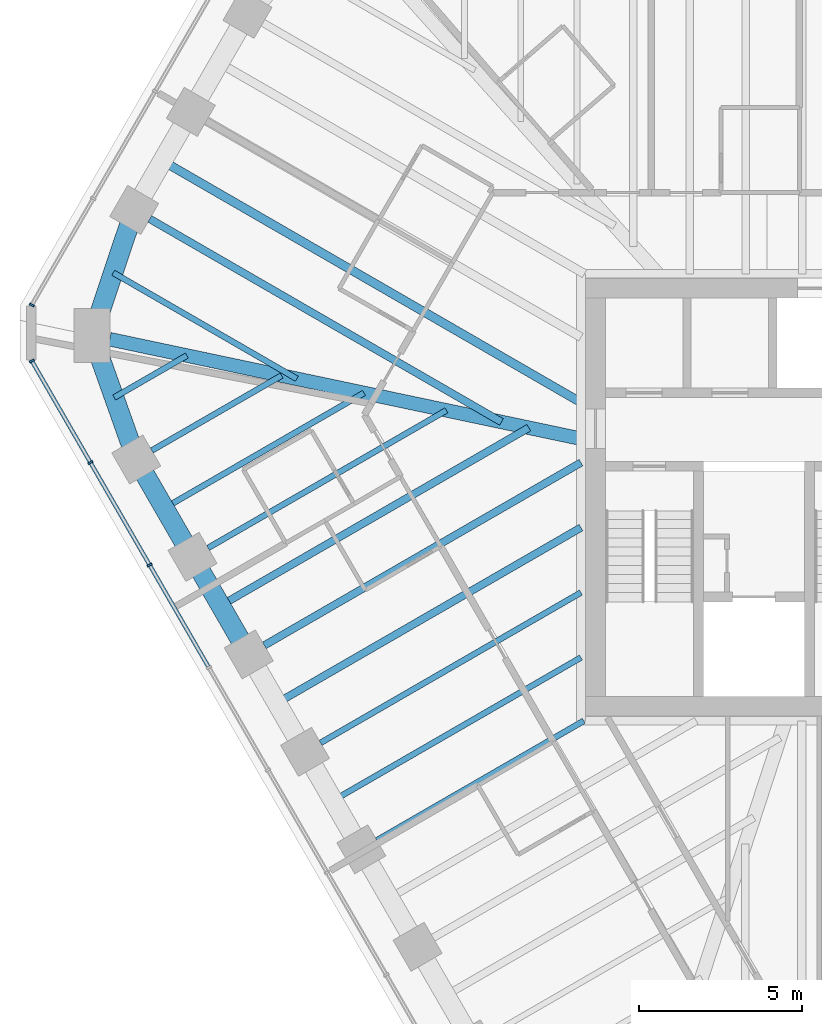
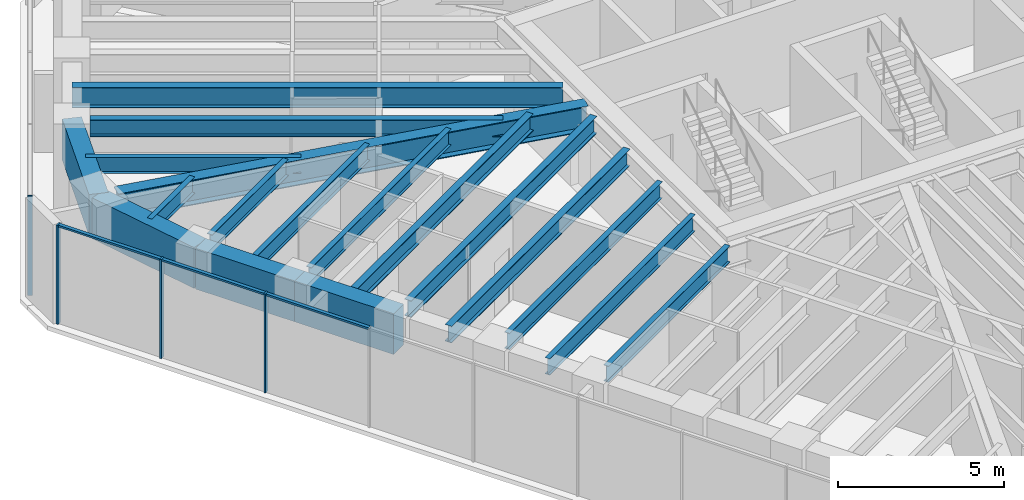
# One storey, part 3 of 14: 18 beams, 7 members, 2 elements without a shape of their own.
"""IFC4 building model written with IfcOpenShell, lengths in metres."""

from ifc_helpers import new_model, si_unit, direction, frame, origin, origin_2d, place, context, subcontext, project, spatial, rectangle, i_section, extrude, material, material_profile, profile_set, type_object, element, aggregate, save


model = new_model("IFC4")

# Units and contexts
model_context = context("Model", 3, precision=1e-05, world=origin(), true_north=direction((0.0, 1.0)))
body_context = subcontext(model_context, "Body", "Model", "MODEL_VIEW")
ifc_project = project(units=[si_unit("LENGTHUNIT", "METRE"), si_unit("AREAUNIT", "SQUARE_METRE"), si_unit("VOLUMEUNIT", "CUBIC_METRE"), si_unit("PLANEANGLEUNIT", "RADIAN"), si_unit("MASSUNIT", "GRAM", prefix="KILO")], contexts=[model_context])

# Site, building, storey
site_placement = place(None, origin())
site = spatial("IfcSite", under=ifc_project, at=site_placement, CompositionType="ELEMENT")
building_placement = place(site_placement, origin())
building = spatial("IfcBuilding", under=site, at=building_placement, Name="Sandreach Pilgrim Tower", CompositionType="ELEMENT")
storey_placement = place(building_placement, frame((0.0, 0.0, 264.60009765625)))
storey = spatial("IfcBuildingStorey", under=building, at=storey_placement, Name="L66", CompositionType="ELEMENT", Elevation=264.60009765625)

# Curtain wall, members
ifc_material_1 = material(Name="Aluminium framed curtain wall", Category="aluminium")
curtain_wall_type = type_object("IfcCurtainWallType", Name="Suite tower curtain wall", PredefinedType="NOTDEFINED", material=ifc_material_1)
curtain_wall_1_placement = place(storey_placement, origin())
curtain_wall_1 = element("IfcCurtainWall", 1, at=curtain_wall_1_placement, inside=storey, type_object=curtain_wall_type, Name="CW-4 L66 SW", PredefinedType="NOTDEFINED")
ifc_material_2 = material(Name="Aluminium extrusion", Category="aluminium")
ifc_material_profile_1 = material_profile(ifc_material_2, rectangle(XDim=0.06005859375, YDim=0.159912109375, at=origin_2d()), Name="CW-4M 60X160")
ifc_profile_set_1 = profile_set([ifc_material_profile_1], Name="Aluminium extrusion")
member_type_1 = type_object("IfcMemberType", Name="CW-4 mullion", PredefinedType="MULLION", material=ifc_profile_set_1)
member_1_placement = place(storey_placement, frame((-21.697509765625, -2.071533203125, 0.0), z_axis=(0.0, 0.0, 1.0), x_axis=(-0.5, 0.866025403784, 0.0)))
member_1 = element("IfcMember", 2, at=member_1_placement, type_object=member_type_1, Name="CW-4 mullion 8", PredefinedType="MULLION", context=body_context, shape_type="SweptSolid", body=[
    extrude(rectangle(XDim=0.06005859375, YDim=0.159912109375, at=origin_2d()), origin(), (0.0, 0.0, 1.0), 3.639892578125),
])
member_2_placement = place(storey_placement, frame((-23.508544921875, 1.06494140625, 0.0), z_axis=(0.0, 0.0, 1.0), x_axis=(-0.5, 0.866025403784, 0.0)))
member_2 = element("IfcMember", 3, at=member_2_placement, type_object=member_type_1, Name="CW-4 mullion 9", PredefinedType="MULLION", context=body_context, shape_type="SweptSolid", body=[
    extrude(rectangle(XDim=0.06005859375, YDim=0.159912109375, at=origin_2d()), origin(), (0.0, 0.0, 1.0), 3.639892578125),
])
member_3_placement = place(storey_placement, frame((-25.304443359375, 4.175537109375, 0.0), z_axis=(0.0, 0.0, 1.0), x_axis=(-0.5, 0.866025403784, 0.0)))
member_3 = element("IfcMember", 4, at=member_3_placement, type_object=member_type_1, Name="CW-4 mullion 10", PredefinedType="MULLION", context=body_context, shape_type="SweptSolid", body=[
    extrude(rectangle(XDim=0.06005859375, YDim=0.159912109375, at=origin_2d()), origin(), (0.0, 0.0, 1.0), 3.639892578125),
])

# Curtain wall, member
curtain_wall_2_placement = place(storey_placement, origin())
curtain_wall_2 = element("IfcCurtainWall", 5, at=curtain_wall_2_placement, inside=storey, type_object=curtain_wall_type, Name="CW-4 L66 NW", PredefinedType="NOTDEFINED")
member_4_placement = place(storey_placement, frame((-25.304443359375, 5.8876953125, 0.0), z_axis=(0.0, 0.0, 1.0), x_axis=(0.5, 0.866025403784, 0.0)))
member_4 = element("IfcMember", 6, at=member_4_placement, type_object=member_type_1, Name="CW-4 mullion 1", PredefinedType="MULLION", context=body_context, shape_type="SweptSolid", body=[
    extrude(rectangle(XDim=0.06005859375, YDim=0.159912109375, at=origin_2d()), origin(), (0.0, 0.0, 1.0), 3.639892578125),
])
aggregate(curtain_wall_2, [member_4])

# Member
ifc_material_3 = material(Name="Aluminium extrusion", Category="aluminium")
ifc_material_profile_2 = material_profile(ifc_material_3, rectangle(XDim=0.1201171875, YDim=0.070068359375, at=origin_2d()), Name="CW-4T 120X70")
ifc_profile_set_2 = profile_set([ifc_material_profile_2], Name="Aluminium extrusion")
member_type_2 = type_object("IfcMemberType", Name="CW-4 transom", PredefinedType="USERDEFINED", material=ifc_profile_set_2)
member_5_placement = place(storey_placement, frame((-19.901611328125, -5.182373046875, 3.60498046875), z_axis=(-0.500009219579, 0.866020080793, 0.0), x_axis=(-0.866020080793, -0.500009219579, 0.0)))
member_5 = element("IfcMember", 7, at=member_5_placement, type_object=member_type_2, Name="CW-4 head transom 7", ObjectType="TRANSOM", PredefinedType="USERDEFINED", context=body_context, shape_type="SweptSolid", body=[
    extrude(rectangle(XDim=0.1201171875, YDim=0.070068359375, at=origin_2d()), origin(), (0.0, 0.0, 1.0), 3.56201171875),
])

member_6_placement = place(storey_placement, frame((-21.71240234375, -2.045654296875, 3.60498046875), z_axis=(-0.500009219579, 0.866020080793, 0.0), x_axis=(-0.866020080793, -0.500009219579, 0.0)))
member_6 = element("IfcMember", 8, at=member_6_placement, type_object=member_type_2, Name="CW-4 head transom 8", ObjectType="TRANSOM", PredefinedType="USERDEFINED", context=body_context, shape_type="SweptSolid", body=[
    extrude(rectangle(XDim=0.1201171875, YDim=0.070068359375, at=origin_2d()), origin(), (0.0, 0.0, 1.0), 3.56201171875),
])

member_7_placement = place(storey_placement, frame((-23.5234375, 1.091064453125, 3.60498046875), z_axis=(-0.499997709859, 0.866026725994, 0.0), x_axis=(-0.866026725994, -0.499997709859, 0.0)))
member_7 = element("IfcMember", 9, at=member_7_placement, type_object=member_type_2, Name="CW-4 head transom 9", ObjectType="TRANSOM", PredefinedType="USERDEFINED", context=body_context, shape_type="SweptSolid", body=[
    extrude(rectangle(XDim=0.1201171875, YDim=0.070068359375, at=origin_2d()), origin(), (0.0, 0.0, 1.0), 3.53173828125),
])

aggregate(curtain_wall_1, [member_1, member_2, member_3, member_5, member_6, member_7])

# Beams
ifc_material_4 = material(Name="Steel ASTM A992 Grade 50", Category="steel")
ifc_material_profile_3 = material_profile(ifc_material_4, i_section(OverallWidth=0.419189453125, OverallDepth=0.927001953125, WebThickness=0.019287109375, FlangeThickness=0.031982421875, at=origin_2d()), Name="W36X231")
ifc_profile_set_3 = profile_set([ifc_material_profile_3], Name="Steel ASTM A992 Grade 50")
beam_type_1 = type_object("IfcBeamType", Name="Corner girder W36X231", PredefinedType="BEAM", material=ifc_profile_set_3)
beam_1_placement = place(storey_placement, frame((-22.917724609375, 4.838623046875, 3.17626953125), z_axis=(0.978430270369, -0.206577360876, 0.0), x_axis=(0.206577360876, 0.978430270369, 0.0)))
element("IfcBeam", 10, at=beam_1_placement, inside=storey, type_object=beam_type_1, Name="BM L66 CG35", PredefinedType="BEAM", context=body_context, shape_type="SweptSolid", body=[
    extrude(i_section(OverallWidth=0.419189453125, OverallDepth=0.927001953125, WebThickness=0.019287109375, FlangeThickness=0.031982421875, at=origin_2d()), origin(), (0.0, 0.0, 1.0), 14.888671875),
])
ifc_material_5 = material(Name="Steel ASTM A992 Grade 50", Category="steel")
ifc_material_profile_4 = material_profile(ifc_material_5, i_section(OverallWidth=0.1787109375, OverallDepth=0.60205078125, WebThickness=0.010986328125, FlangeThickness=0.014892578125, at=origin_2d()), Name="W24X62")
ifc_profile_set_4 = profile_set([ifc_material_profile_4], Name="Steel ASTM A992 Grade 50")
beam_type_2 = type_object("IfcBeamType", Name="Floor beam W24X62", PredefinedType="BEAM", material=ifc_profile_set_4)
beam_2_placement = place(storey_placement, frame((-14.741455078125, -10.5, 3.3388671875), z_axis=(0.866019920622, 0.500009496996, 0.0), x_axis=(-0.500009496996, 0.866019920622, 0.0)))
element("IfcBeam", 11, at=beam_2_placement, inside=storey, type_object=beam_type_2, Name="BM L66 F30", PredefinedType="BEAM", context=body_context, shape_type="SweptSolid", body=[
    extrude(i_section(OverallWidth=0.1787109375, OverallDepth=0.60205078125, WebThickness=0.010986328125, FlangeThickness=0.014892578125, at=origin_2d()), origin(), (0.0, 0.0, 1.0), 7.313232421875),
])
beam_3_placement = place(storey_placement, frame((-16.4638671875, -7.516357421875, 3.3388671875), z_axis=(0.866022580836, 0.500004889459, 0.0), x_axis=(-0.500004889459, 0.866022580836, 0.0)))
element("IfcBeam", 12, at=beam_3_placement, inside=storey, type_object=beam_type_2, Name="BM L66 F31", PredefinedType="BEAM", context=body_context, shape_type="SweptSolid", body=[
    extrude(i_section(OverallWidth=0.1787109375, OverallDepth=0.60205078125, WebThickness=0.010986328125, FlangeThickness=0.014892578125, at=origin_2d()), origin(), (0.0, 0.0, 1.0), 9.20361328125),
])
beam_4_placement = place(storey_placement, frame((-19.908935546875, -1.549560546875, 3.3388671875), z_axis=(0.866026819143, 0.499997548519, 0.0), x_axis=(-0.499997548519, 0.866026819143, 0.0)))
element("IfcBeam", 13, at=beam_4_placement, inside=storey, type_object=beam_type_2, Name="BM L66 F33", PredefinedType="BEAM", context=body_context, shape_type="SweptSolid", body=[
    extrude(i_section(OverallWidth=0.1787109375, OverallDepth=0.60205078125, WebThickness=0.010986328125, FlangeThickness=0.014892578125, at=origin_2d()), origin(), (0.0, 0.0, 1.0), 8.4248046875),
])
beam_5_placement = place(storey_placement, frame((-21.631591796875, 1.433837890625, 3.3388671875), z_axis=(0.866037621819, 0.499978837146, 0.0), x_axis=(-0.499978837146, 0.866037621819, 0.0)))
element("IfcBeam", 14, at=beam_5_placement, inside=storey, type_object=beam_type_2, Name="BM L66 F34", PredefinedType="BEAM", context=body_context, shape_type="SweptSolid", body=[
    extrude(i_section(OverallWidth=0.1787109375, OverallDepth=0.60205078125, WebThickness=0.010986328125, FlangeThickness=0.014892578125, at=origin_2d()), origin(), (0.0, 0.0, 1.0), 4.588623046875),
])
beam_6_placement = place(storey_placement, frame((-16.0791015625, -9.283203125, 3.3388671875), z_axis=(0.866023595995, 0.500003131169, 0.0), x_axis=(-0.500003131169, 0.866023595995, 0.0)))
element("IfcBeam", 15, at=beam_6_placement, inside=storey, type_object=beam_type_2, Name="BM L66 FM30", PredefinedType="BEAM", context=body_context, shape_type="SweptSolid", body=[
    extrude(i_section(OverallWidth=0.1787109375, OverallDepth=0.60205078125, WebThickness=0.010986328125, FlangeThickness=0.014892578125, at=origin_2d()), origin(), (0.0, 0.0, 1.0), 8.75927734375),
])
beam_7_placement = place(storey_placement, frame((-21.24658203125, -0.332763671875, 3.3388671875), z_axis=(0.866028878405, 0.499993981732, 0.0), x_axis=(-0.499993981732, 0.866028878405, 0.0)))
element("IfcBeam", 16, at=beam_7_placement, inside=storey, type_object=beam_type_2, Name="BM L66 FM33", PredefinedType="BEAM", context=body_context, shape_type="SweptSolid", body=[
    extrude(i_section(OverallWidth=0.1787109375, OverallDepth=0.60205078125, WebThickness=0.010986328125, FlangeThickness=0.014892578125, at=origin_2d()), origin(), (0.0, 0.0, 1.0), 7.056640625),
])
beam_8_placement = place(storey_placement, frame((-22.78173828125, 3.0556640625, 3.3388671875), z_axis=(0.8660004255, 0.500043261163, 0.0), x_axis=(-0.500043261163, 0.8660004255, 0.0)))
element("IfcBeam", 17, at=beam_8_placement, inside=storey, type_object=beam_type_2, Name="BM L66 FM34", PredefinedType="BEAM", context=body_context, shape_type="SweptSolid", body=[
    extrude(i_section(OverallWidth=0.1787109375, OverallDepth=0.60205078125, WebThickness=0.010986328125, FlangeThickness=0.014892578125, at=origin_2d()), origin(), (0.0, 0.0, 1.0), 2.569091796875),
])
beam_9_placement = place(storey_placement, frame((-22.8125, 6.875, 3.3388671875), z_axis=(0.866023980233, -0.500002465655, 0.0), x_axis=(0.500002465655, 0.866023980233, 0.0)))
element("IfcBeam", 18, at=beam_9_placement, inside=storey, type_object=beam_type_2, Name="BM L66 FM35", PredefinedType="BEAM", context=body_context, shape_type="SweptSolid", body=[
    extrude(i_section(OverallWidth=0.1787109375, OverallDepth=0.60205078125, WebThickness=0.010986328125, FlangeThickness=0.014892578125, at=origin_2d()), origin(), (0.0, 0.0, 1.0), 6.49072265625),
])
ifc_material_6 = material(Name="Steel ASTM A992 Grade 50", Category="steel")
ifc_material_profile_5 = material_profile(ifc_material_6, i_section(OverallWidth=0.23046875, OverallDepth=0.6171875, WebThickness=0.01318359375, FlangeThickness=0.022216796875, at=origin_2d()), Name="W24X94")
ifc_profile_set_5 = profile_set([ifc_material_profile_5], Name="Steel ASTM A992 Grade 50")
beam_type_3 = type_object("IfcBeamType", Name="Floor beam W24X94", PredefinedType="BEAM", material=ifc_profile_set_5)
beam_10_placement = place(storey_placement, frame((-18.1865234375, -4.532958984375, 3.331298828125), z_axis=(0.866030482771, 0.499991202833, 0.0), x_axis=(-0.499991202833, 0.866030482771, 0.0)))
element("IfcBeam", 19, at=beam_10_placement, inside=storey, type_object=beam_type_3, Name="BM L66 F32", PredefinedType="BEAM", context=body_context, shape_type="SweptSolid", body=[
    extrude(i_section(OverallWidth=0.23046875, OverallDepth=0.6171875, WebThickness=0.01318359375, FlangeThickness=0.022216796875, at=origin_2d()), origin(), (0.0, 0.0, 1.0), 11.192626953125),
])
beam_11_placement = place(storey_placement, frame((-21.69287109375, 8.522705078125, 3.331298828125), z_axis=(0.866028931402, -0.499993889937, 0.0), x_axis=(0.499993889937, 0.866028931402, 0.0)))
element("IfcBeam", 20, at=beam_11_placement, inside=storey, type_object=beam_type_3, Name="BM L66 F36", PredefinedType="BEAM", context=body_context, shape_type="SweptSolid", body=[
    extrude(i_section(OverallWidth=0.23046875, OverallDepth=0.6171875, WebThickness=0.01318359375, FlangeThickness=0.022216796875, at=origin_2d()), origin(), (0.0, 0.0, 1.0), 12.431396484375),
])
beam_12_placement = place(storey_placement, frame((-17.801513671875, -6.2998046875, 3.331298828125), z_axis=(0.866025958161, 0.49999903979, 0.0), x_axis=(-0.49999903979, 0.866025958161, 0.0)))
element("IfcBeam", 21, at=beam_12_placement, inside=storey, type_object=beam_type_3, Name="BM L66 FM31", PredefinedType="BEAM", context=body_context, shape_type="SweptSolid", body=[
    extrude(i_section(OverallWidth=0.23046875, OverallDepth=0.6171875, WebThickness=0.01318359375, FlangeThickness=0.022216796875, at=origin_2d()), origin(), (0.0, 0.0, 1.0), 10.748046875),
])
beam_13_placement = place(storey_placement, frame((-19.52392578125, -3.316162109375, 3.331298828125), z_axis=(0.866029205616, 0.499993414976, 0.0), x_axis=(-0.499993414976, 0.866029205616, 0.0)))
element("IfcBeam", 22, at=beam_13_placement, inside=storey, type_object=beam_type_3, Name="BM L66 FM32", PredefinedType="BEAM", context=body_context, shape_type="SweptSolid", body=[
    extrude(i_section(OverallWidth=0.23046875, OverallDepth=0.6171875, WebThickness=0.01318359375, FlangeThickness=0.022216796875, at=origin_2d()), origin(), (0.0, 0.0, 1.0), 10.893310546875),
])
ifc_material_7 = material(Name="Steel ASTM A992 Grade 50", Category="steel")
ifc_material_profile_6 = material_profile(ifc_material_7, i_section(OverallWidth=0.2666015625, OverallDepth=0.761962890625, WebThickness=0.014404296875, FlangeThickness=0.021484375, at=origin_2d()), Name="W30X116")
ifc_profile_set_6 = profile_set([ifc_material_profile_6], Name="Steel ASTM A992 Grade 50")
beam_type_4 = type_object("IfcBeamType", Name="Floor beam W30X116", PredefinedType="BEAM", material=ifc_profile_set_6)
beam_14_placement = place(storey_placement, frame((-21.302978515625, 10.29833984375, 3.2587890625), z_axis=(0.866028362181, -0.499994875871, 0.0), x_axis=(0.499994875871, 0.866028362181, 0.0)))
element("IfcBeam", 23, at=beam_14_placement, inside=storey, type_object=beam_type_4, Name="BM L66 FM36", PredefinedType="BEAM", context=body_context, shape_type="SweptSolid", body=[
    extrude(i_section(OverallWidth=0.2666015625, OverallDepth=0.761962890625, WebThickness=0.014404296875, FlangeThickness=0.021484375, at=origin_2d()), origin(), (0.0, 0.0, 1.0), 14.791259765625),
])
ifc_material_8 = material(Name="Concrete 10000 psi", Category="concrete")
ifc_material_profile_7 = material_profile(ifc_material_8, rectangle(XDim=0.60009765625, YDim=1.5, at=origin_2d()), Name="RC600X1500")
ifc_profile_set_7 = profile_set([ifc_material_profile_7], Name="Concrete 10000 psi")
beam_type_5 = type_object("IfcBeamType", Name="Spandrel beam RC600X1500", PredefinedType="SPANDREL", material=ifc_profile_set_7)
for number, where, z_axis, x_axis, name in (
    (24, (-18.662841796875, -4.80810546875, 2.889892578125), (-0.499957605418, 0.866049878924, 0.0), (-0.866049878924, -0.499957605418, 0.0), "BM L66 SP32"),
    (25, (-20.38525390625, -1.824462890625, 2.889892578125), (-0.500041441558, 0.866001476168, 0.0), (-0.866001476168, -0.500041441558, 0.0), "BM L66 SP33"),
):
    element("IfcBeam", number, at=place(storey_placement, frame(where, z_axis=z_axis, x_axis=x_axis)), inside=storey, type_object=beam_type_5, Name=name, PredefinedType="SPANDREL", context=body_context, shape_type="SweptSolid", body=[
        extrude(rectangle(XDim=0.60009765625, YDim=1.5, at=origin_2d()), origin(), (0.0, 0.0, 1.0), 3.445068359375),
    ])
beam_15_placement = place(storey_placement, frame((-22.10791015625, 1.158935546875, 2.889892578125), z_axis=(-0.33481464839, 0.94228400773, 0.0), x_axis=(-0.94228400773, -0.33481464839, 0.0)))
element("IfcBeam", 26, at=beam_15_placement, inside=storey, type_object=beam_type_5, Name="BM L66 SP34", PredefinedType="SPANDREL", context=body_context, shape_type="SweptSolid", body=[
    extrude(rectangle(XDim=0.60009765625, YDim=1.5, at=origin_2d()), origin(), (0.0, 0.0, 1.0), 4.02587890625),
])
beam_16_placement = place(storey_placement, frame((-23.455810546875, 4.952392578125, 2.889892578125), z_axis=(0.317293238289, 0.948327475578, 0.0), x_axis=(-0.948327475578, 0.317293238289, 0.0)))
element("IfcBeam", 27, at=beam_16_placement, inside=storey, type_object=beam_type_5, Name="BM L66 SP35", PredefinedType="SPANDREL", context=body_context, shape_type="SweptSolid", body=[
    extrude(rectangle(XDim=0.60009765625, YDim=1.5, at=origin_2d()), origin(), (0.0, 0.0, 1.0), 4.054931640625),
])

save(model, "model.ifc")
